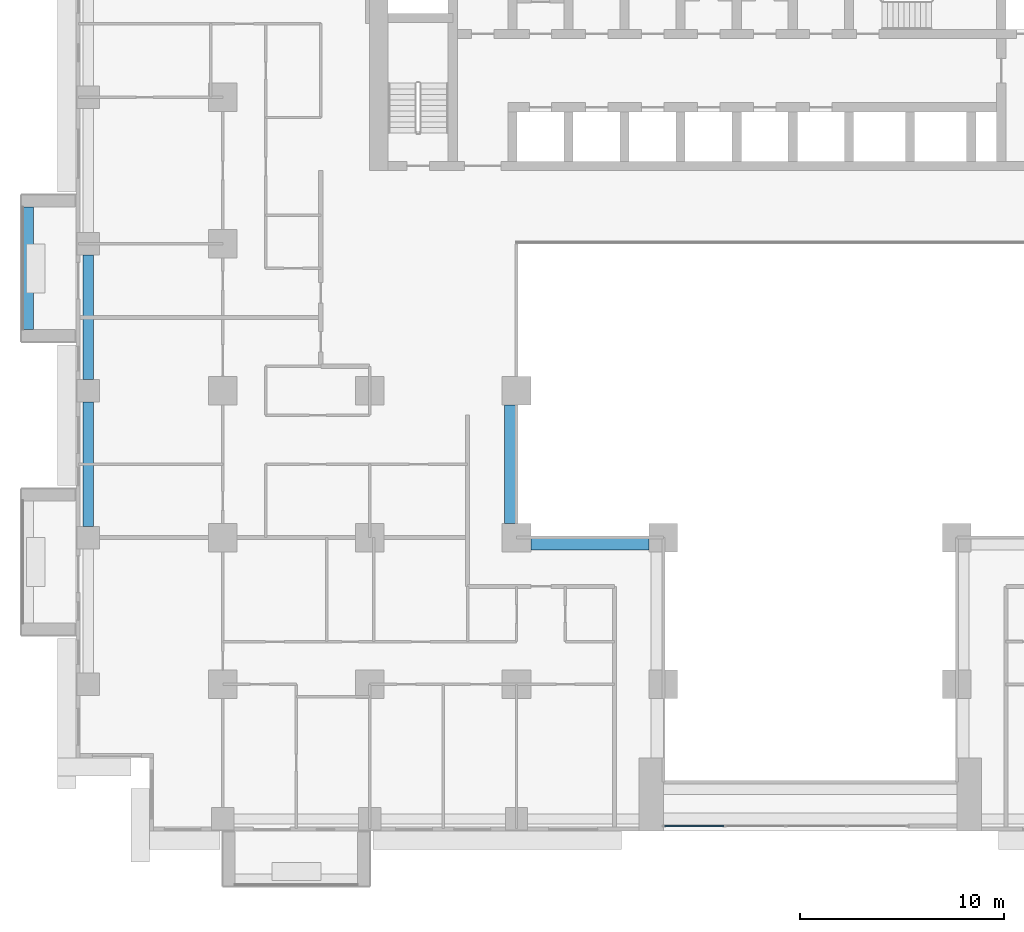
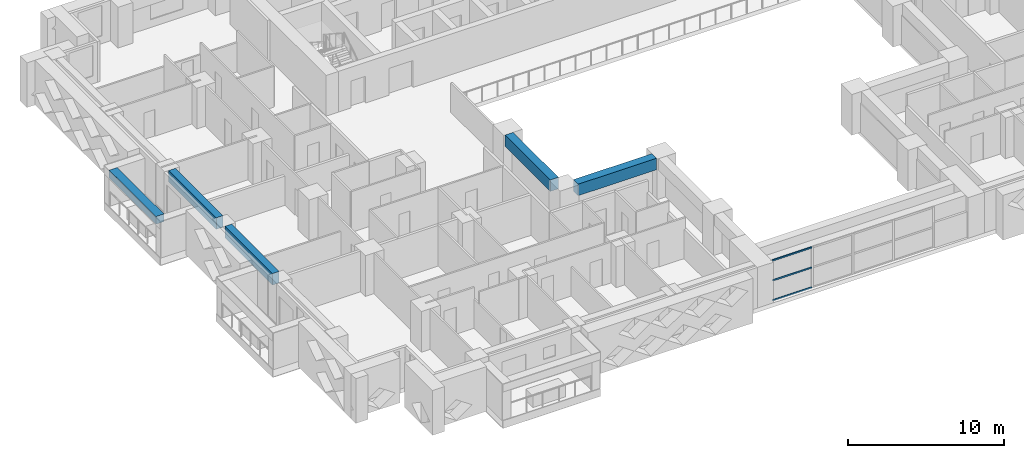
# One storey, part 3 of 16: 5 beams, 3 members, 1 element without a shape of its own.
"""IFC4 building model written with IfcOpenShell, lengths in metres."""

from ifc_helpers import new_model, si_unit, direction, frame, origin, origin_2d, place, context, subcontext, project, spatial, rectangle, extrude, source, transform, mapped, material, layer, layer_set, material_profile, profile_set, type_object, element, aggregate, save


model = new_model("IFC4")

# Units and contexts
model_context = context("Model", 3, precision=1e-05, world=origin(), true_north=direction((0.0, 1.0)))
body_context = subcontext(model_context, "Body", "Model", "MODEL_VIEW")
ifc_project = project(units=[si_unit("LENGTHUNIT", "METRE"), si_unit("AREAUNIT", "SQUARE_METRE"), si_unit("VOLUMEUNIT", "CUBIC_METRE"), si_unit("PLANEANGLEUNIT", "RADIAN"), si_unit("MASSUNIT", "GRAM", prefix="KILO")], contexts=[model_context])

# Site, building, storey
site_placement = place(None, origin())
site = spatial("IfcSite", under=ifc_project, at=site_placement, CompositionType="ELEMENT")
building_placement = place(site_placement, origin())
building = spatial("IfcBuilding", under=site, at=building_placement, Name="Saffron Iwan Residences", CompositionType="ELEMENT")
storey_placement = place(building_placement, frame((0.0, 0.0, 44.5)))
storey = spatial("IfcBuildingStorey", under=building, at=storey_placement, Name="L10", CompositionType="ELEMENT", Elevation=44.5)

# Beams
ifc_material_1 = material(Name="Concrete C60/75", Category="concrete")
ifc_material_profile_1 = material_profile(ifc_material_1, rectangle(XDim=0.5, YDim=0.89990234375, at=origin_2d()), Name="RC 500x900")
ifc_profile_set_1 = profile_set([ifc_material_profile_1], Name="Concrete C60/75")
beam_type_1 = type_object("IfcBeamType", Name="SPANDREL BEAM RC 500x900 C60/75 TOP 3180", PredefinedType="SPANDREL", material=ifc_profile_set_1)
shared_shape_1 = source(origin(), body_context, "Body", "SweptSolid", [
    extrude(rectangle(XDim=0.5, YDim=0.89990234375, at=origin_2d()), origin(), (0.0, 0.0, 1.0), 6.10009765625),
])
beam_1_placement = place(storey_placement, frame((15.0, 55.75, 2.72998046875), z_axis=(0.0, 1.0, 0.0), x_axis=(-1.0, 0.0, 0.0)))
element("IfcBeam", 1, at=beam_1_placement, inside=storey, type_object=beam_type_1, Name="Spandrel beam", PredefinedType="SPANDREL", context=body_context, shape_type="MappedRepresentation", body=[
    mapped(shared_shape_1, transform((0.0, 0.0, 0.0))),
])
shared_shape_2 = source(origin(), body_context, "Body", "SweptSolid", [
    extrude(rectangle(XDim=0.5, YDim=0.89990234375, at=origin_2d()), origin(), (0.0, 0.0, 1.0), 6.099853515625),
])
beam_2_placement = place(storey_placement, frame((15.0, 48.550048828125, 2.72998046875), z_axis=(0.0, 1.0, 0.0), x_axis=(-1.0, 0.0, 0.0)))
element("IfcBeam", 2, at=beam_2_placement, inside=storey, type_object=beam_type_1, Name="Spandrel beam", PredefinedType="SPANDREL", context=body_context, shape_type="MappedRepresentation", body=[
    mapped(shared_shape_2, transform((0.0, 0.0, 0.0))),
])
ifc_material_profile_2 = material_profile(ifc_material_1, rectangle(XDim=0.60009765625, YDim=0.89990234375, at=origin_2d()), Name="RC 600x900")
ifc_profile_set_2 = profile_set([ifc_material_profile_2], Name="Concrete C60/75")
beam_type_2 = type_object("IfcBeamType", Name="BEAM RC 600x900 C60/75 TOP 3180", PredefinedType="BEAM", material=ifc_profile_set_2)
shared_shape_3 = source(origin(), body_context, "Body", "SweptSolid", [
    extrude(rectangle(XDim=0.60009765625, YDim=0.89990234375, at=origin_2d()), origin(), (0.0, 0.0, 1.0), 5.800048828125),
])
for number, where, z_axis, x_axis, name in (
    (3, (42.5, 47.699951171875, 2.72998046875), (-1.0, 0.0, 0.0), (0.0, -1.0, 0.0), "Atrium edge beam"),
    (4, (35.699951171875, 48.699951171875, 2.72998046875), (0.0, 1.0, 0.0), (-1.0, 0.0, 0.0), "Atrium edge beam"),
):
    element("IfcBeam", number, at=place(storey_placement, frame(where, z_axis=z_axis, x_axis=x_axis)), inside=storey, type_object=beam_type_2, Name=name, PredefinedType="BEAM", context=body_context, shape_type="MappedRepresentation", body=[
        mapped(shared_shape_3, transform((0.0, 0.0, 0.0))),
    ])

# Curtain wall, members
ifc_material_2 = material(Name="Clear glass, laminated double glazed", Category="glass")
ifc_layer = layer(ifc_material_2, 0.199951171875)
ifc_layer_set = layer_set([ifc_layer], Name="Clear glass, laminated double glazed")
curtain_wall_type = type_object("IfcCurtainWallType", Name="CW-B IWAN PORTAL", PredefinedType="NOTDEFINED", material=ifc_layer_set)
curtain_wall_placement = place(storey_placement, origin())
curtain_wall = element("IfcCurtainWall", 5, at=curtain_wall_placement, inside=storey, type_object=curtain_wall_type, Name="Iwan portal glazing L10.1", PredefinedType="NOTDEFINED")
ifc_material_3 = material(Name="Aluminium 6063-T6", Category="aluminium")
ifc_material_profile_3 = material_profile(ifc_material_3, rectangle(XDim=0.06005859375, YDim=0.1201171875, at=origin_2d()), Name="CW-B TRANSOM 60 x 120")
ifc_profile_set_3 = profile_set([ifc_material_profile_3], Name="Aluminium 6063-T6")
member_type = type_object("IfcMemberType", Name="CW-B TRANSOM 60 x 120", PredefinedType="USERDEFINED", material=ifc_profile_set_3)
shared_shape_4 = source(origin(), body_context, "Body", "SweptSolid", [
    extrude(rectangle(XDim=0.06005859375, YDim=0.1201171875, at=origin_2d()), origin(), (0.0, 0.0, 1.0), 2.909912109375),
])
member_1_placement = place(storey_placement, frame((43.260009765625, 33.85009765625, 0.030029296875), z_axis=(1.0, 0.0, 0.0), x_axis=(0.0, 1.0, 0.0)))
member_1 = element("IfcMember", 6, at=member_1_placement, type_object=member_type, Name="CW-B transom 1.1", ObjectType="TRANSOM", PredefinedType="USERDEFINED", context=body_context, shape_type="MappedRepresentation", body=[
    mapped(shared_shape_4, transform((0.0, 0.0, 0.0))),
])
member_2_placement = place(storey_placement, frame((43.260009765625, 33.85009765625, 1.590087890625), z_axis=(1.0, 0.0, 0.0), x_axis=(0.0, 1.0, 0.0)))
member_2 = element("IfcMember", 7, at=member_2_placement, type_object=member_type, Name="CW-B transom 1.2", ObjectType="TRANSOM", PredefinedType="USERDEFINED", context=body_context, shape_type="MappedRepresentation", body=[
    mapped(shared_shape_4, transform((0.0, 0.0, 0.0))),
])
member_3_placement = place(storey_placement, frame((43.260009765625, 33.85009765625, 3.14990234375), z_axis=(1.0, 0.0, 0.0), x_axis=(0.0, 1.0, 0.0)))
member_3 = element("IfcMember", 8, at=member_3_placement, type_object=member_type, Name="CW-B transom 1.3", ObjectType="TRANSOM", PredefinedType="USERDEFINED", context=body_context, shape_type="MappedRepresentation", body=[
    mapped(shared_shape_4, transform((0.0, 0.0, 0.0))),
])
aggregate(curtain_wall, [member_1, member_2, member_3])

# Beam
ifc_material_4 = material(Name="Concrete C50/60 white painted", Category="concrete")
ifc_material_profile_4 = material_profile(ifc_material_4, rectangle(XDim=0.60009765625, YDim=0.60009765625, at=origin_2d()), Name="BALCONY FASCIA BEAM 600 x 600")
ifc_profile_set_4 = profile_set([ifc_material_profile_4], Name="Concrete C50/60 white painted")
beam_type_3 = type_object("IfcBeamType", Name="BALCONY FASCIA BEAM 600 x 600", PredefinedType="BEAM", material=ifc_profile_set_4)
shared_shape_5 = source(origin(), body_context, "Body", "SweptSolid", [
    extrude(rectangle(XDim=0.60009765625, YDim=0.60009765625, at=origin_2d()), origin(), (0.0, 0.0, 1.0), 6.0),
])
beam_3_placement = place(storey_placement, frame((12.0, 64.199951171875, 2.550048828125), z_axis=(0.0, -1.0, 0.0), x_axis=(1.0, 0.0, 0.0)))
element("IfcBeam", 9, at=beam_3_placement, inside=storey, type_object=beam_type_3, Name="Balcony fascia beam L10 F8-0", PredefinedType="BEAM", context=body_context, shape_type="MappedRepresentation", body=[
    mapped(shared_shape_5, transform((0.0, 0.0, 0.0))),
])

save(model, "model.ifc")
